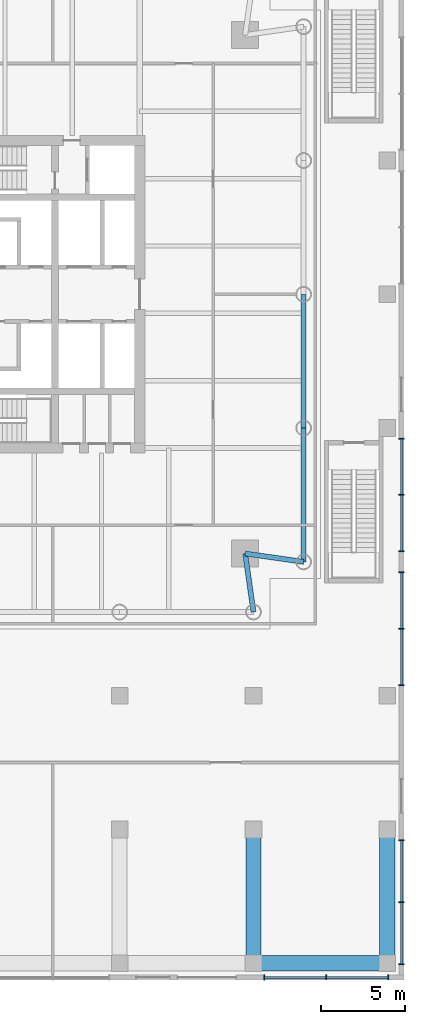
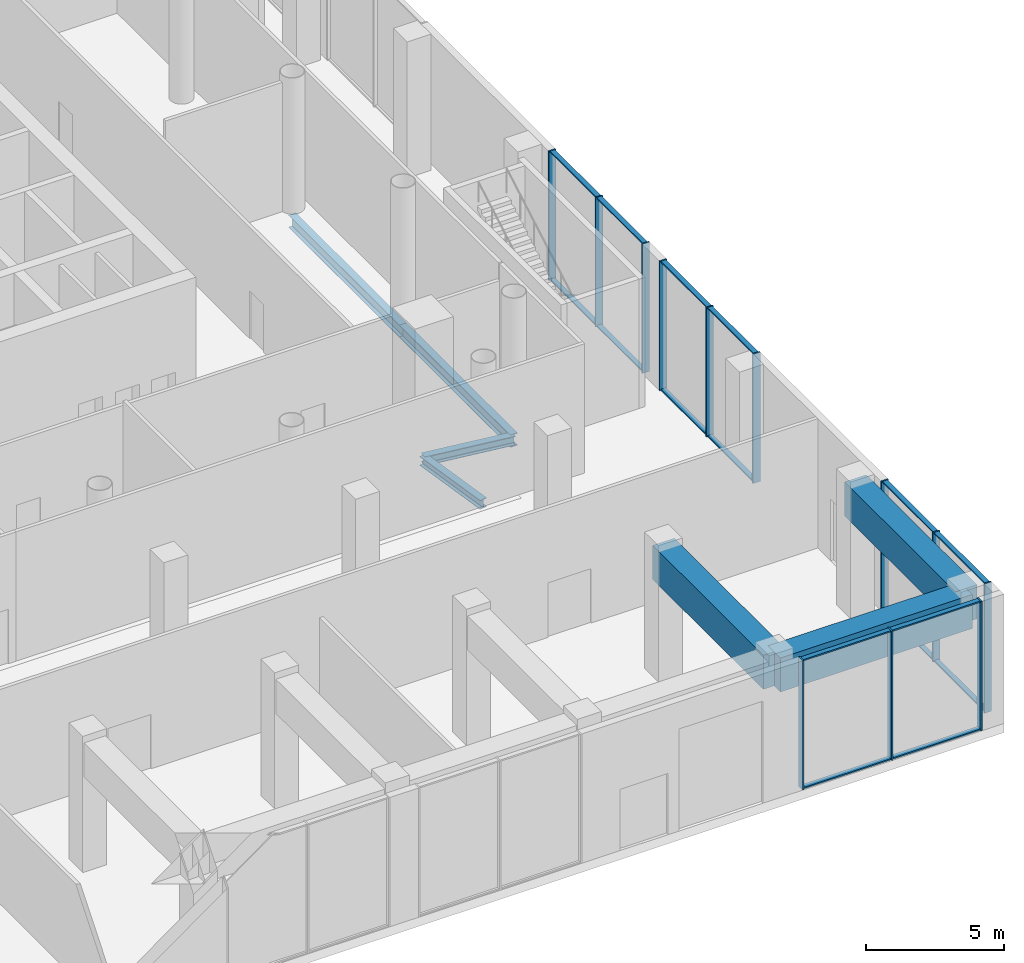
# One storey, part 18 of 39: 28 members, 7 beams, 4 elements without a shape of their own.
"""IFC4 building model written with IfcOpenShell, lengths in metres."""

from ifc_helpers import new_model, si_unit, direction, frame, origin, origin_2d, place, context, subcontext, project, spatial, rectangle, i_section, extrude, material, material_profile, profile_set, type_object, element, aggregate, save


model = new_model("IFC4")

# Units and contexts
model_context = context("Model", 3, precision=1e-05, world=origin(), true_north=direction((0.0, 1.0)))
body_context = subcontext(model_context, "Body", "Model", "MODEL_VIEW")
ifc_project = project(units=[si_unit("LENGTHUNIT", "METRE"), si_unit("AREAUNIT", "SQUARE_METRE"), si_unit("VOLUMEUNIT", "CUBIC_METRE"), si_unit("PLANEANGLEUNIT", "RADIAN"), si_unit("MASSUNIT", "GRAM", prefix="KILO")], contexts=[model_context])

# Site, building, storey
site_placement = place(None, origin())
site = spatial("IfcSite", under=ifc_project, at=site_placement, CompositionType="ELEMENT")
building_placement = place(site_placement, origin())
building = spatial("IfcBuilding", under=site, at=building_placement, Name="Ostroluk Exchange", CompositionType="ELEMENT")
storey_placement = place(building_placement, origin())
storey = spatial("IfcBuildingStorey", under=building, at=storey_placement, Name="L00", CompositionType="ELEMENT", Elevation=0.0)

# Beams
ifc_material_1 = material(Name="Steel S355", Category="steel")
ifc_material_profile_1 = material_profile(ifc_material_1, i_section(OverallWidth=0.300048828125, OverallDepth=0.39990234375, WebThickness=0.013427734375, FlangeThickness=0.02392578125, FilletRadius=0.027099609375, at=origin_2d()), Name="HEB 400")
ifc_profile_set_1 = profile_set([ifc_material_profile_1], Name="Steel S355")
beam_type_1 = type_object("IfcBeamType", Name="Corner edge beam HEB 400", PredefinedType="SPANDREL", material=ifc_profile_set_1)
for number, where, z_axis, x_axis, name in (
    (1, (132.5, 30.5, -0.5), (0.141421356237, -0.989949493661, 0.0), (0.989949493661, 0.141421356237, 0.0), "T2 south corner edge beam a"),
    (2, (132.5, 30.5, -0.5), (0.989949493661, -0.141421356237, 0.0), (0.141421356237, 0.989949493661, 0.0), "T2 south corner edge beam b"),
):
    element("IfcBeam", number, at=place(storey_placement, frame(where, z_axis=z_axis, x_axis=x_axis)), inside=storey, type_object=beam_type_1, Name=name, PredefinedType="SPANDREL", context=body_context, shape_type="SweptSolid", body=[
        extrude(i_section(OverallWidth=0.300048828125, OverallDepth=0.39990234375, WebThickness=0.013427734375, FlangeThickness=0.02392578125, FilletRadius=0.027099609375, at=origin_2d()), origin(), (0.0, 0.0, 1.0), 3.53564453125),
    ])
ifc_material_2 = material(Name="Steel S355", Category="steel")
ifc_material_profile_2 = material_profile(ifc_material_2, i_section(OverallWidth=0.300048828125, OverallDepth=0.550048828125, WebThickness=0.014892578125, FlangeThickness=0.029052734375, FilletRadius=0.027099609375, at=origin_2d()), Name="HEB 550")
ifc_profile_set_2 = profile_set([ifc_material_profile_2], Name="Steel S355")
beam_type_2 = type_object("IfcBeamType", Name="Moment-connected edge beam HEB 550", PredefinedType="SPANDREL", material=ifc_profile_set_2)
for number, where, z_axis, x_axis, name in (
    (3, (136.0, 30.0, -0.574951171875), (0.0, 1.0, 0.0), (-1.0, 0.0, 0.0), "T2 east edge beam 1"),
    (4, (136.0, 38.0, -0.574951171875), (0.0, 1.0, 0.0), (-1.0, 0.0, 0.0), "T2 east edge beam 2"),
):
    element("IfcBeam", number, at=place(storey_placement, frame(where, z_axis=z_axis, x_axis=x_axis)), inside=storey, type_object=beam_type_2, Name=name, PredefinedType="SPANDREL", context=body_context, shape_type="SweptSolid", body=[
        extrude(i_section(OverallWidth=0.300048828125, OverallDepth=0.550048828125, WebThickness=0.014892578125, FlangeThickness=0.029052734375, FilletRadius=0.027099609375, at=origin_2d()), origin(), (0.0, 0.0, 1.0), 8.0),
    ])
ifc_material_3 = material(Name="Concrete C50/60", Category="concrete")
ifc_material_profile_3 = material_profile(ifc_material_3, rectangle(XDim=0.89990234375, YDim=1.5, at=origin_2d()), Name="RC 900x1500")
ifc_profile_set_3 = profile_set([ifc_material_profile_3], Name="Concrete C50/60")
beam_type_3 = type_object("IfcBeamType", Name="Podium edge beam RC 900x1500", PredefinedType="BEAM", material=ifc_profile_set_3)
for number, where, z_axis, x_axis, name in (
    (5, (133.0, 6.0, 4.949951171875), (0.0, 1.0, 0.0), (-1.0, 0.0, 0.0), "Terrace beam L01 east S 133"),
    (6, (141.0, 6.0, 4.949951171875), (0.0, 1.0, 0.0), (-1.0, 0.0, 0.0), "Terrace beam L01 east S 141"),
    (7, (133.0, 6.0, 4.949951171875), (1.0, 0.0, 0.0), (0.0, 1.0, 0.0), "Terrace bay beam L01 Y6-133"),
):
    element("IfcBeam", number, at=place(storey_placement, frame(where, z_axis=z_axis, x_axis=x_axis)), inside=storey, type_object=beam_type_3, Name=name, PredefinedType="BEAM", context=body_context, shape_type="SweptSolid", body=[
        extrude(rectangle(XDim=0.89990234375, YDim=1.5, at=origin_2d()), origin(), (0.0, 0.0, 1.0), 8.0),
    ])

# Curtain wall, members
ifc_material_4 = material(Name="Laminated clear glass", Category="glass")
curtain_wall_type = type_object("IfcCurtainWallType", Name="Podium shopfront", PredefinedType="USERDEFINED", material=ifc_material_4)
curtain_wall_1_placement = place(storey_placement, origin())
curtain_wall_1 = element("IfcCurtainWall", 8, at=curtain_wall_1_placement, inside=storey, type_object=curtain_wall_type, Name="Podium east S shopfront 4", ObjectType="STICK SHOPFRONT", PredefinedType="USERDEFINED")
ifc_material_5 = material(Name="Aluminium mullion", Category="aluminium")
ifc_material_profile_4 = material_profile(ifc_material_5, rectangle(XDim=0.300048828125, YDim=0.06005859375, at=origin_2d()), Name="Shopfront mullion 60 x 300")
ifc_profile_set_4 = profile_set([ifc_material_profile_4], Name="Aluminium mullion")
member_type_1 = type_object("IfcMemberType", Name="Shopfront mullion 60 x 300", PredefinedType="MULLION", material=ifc_profile_set_4)
member_1_placement = place(storey_placement, frame((133.6298828125, 5.14990234375, 0.0), z_axis=(0.0, 0.0, 1.0), x_axis=(0.0, 1.0, 0.0)))
member_1 = element("IfcMember", 9, at=member_1_placement, type_object=member_type_1, Name="CW-SF1 mullion 1", PredefinedType="MULLION", context=body_context, shape_type="SweptSolid", body=[
    extrude(rectangle(XDim=0.300048828125, YDim=0.06005859375, at=origin_2d()), origin(), (0.0, 0.0, 1.0), 5.699951171875),
])
member_2_placement = place(storey_placement, frame((137.35009765625, 5.14990234375, 0.0), z_axis=(0.0, 0.0, 1.0), x_axis=(0.0, 1.0, 0.0)))
member_2 = element("IfcMember", 10, at=member_2_placement, type_object=member_type_1, Name="CW-SF1 mullion 2", PredefinedType="MULLION", context=body_context, shape_type="SweptSolid", body=[
    extrude(rectangle(XDim=0.300048828125, YDim=0.06005859375, at=origin_2d()), origin(), (0.0, 0.0, 1.0), 5.699951171875),
])
member_3_placement = place(storey_placement, frame((141.070068359375, 5.14990234375, 0.0), z_axis=(0.0, 0.0, 1.0), x_axis=(0.0, 1.0, 0.0)))
member_3 = element("IfcMember", 11, at=member_3_placement, type_object=member_type_1, Name="CW-SF1 mullion 3", PredefinedType="MULLION", context=body_context, shape_type="SweptSolid", body=[
    extrude(rectangle(XDim=0.300048828125, YDim=0.06005859375, at=origin_2d()), origin(), (0.0, 0.0, 1.0), 5.699951171875),
])

curtain_wall_2_placement = place(storey_placement, origin())
curtain_wall_2 = element("IfcCurtainWall", 12, at=curtain_wall_2_placement, inside=storey, type_object=curtain_wall_type, Name="Podium east E shopfront 1", ObjectType="STICK SHOPFRONT", PredefinedType="USERDEFINED")
member_4_placement = place(storey_placement, frame((141.85009765625, 5.929931640625, 0.0), z_axis=(0.0, 0.0, 1.0), x_axis=(-1.0, 0.0, 0.0)))
member_4 = element("IfcMember", 13, at=member_4_placement, type_object=member_type_1, Name="CW-SF1 mullion 1", PredefinedType="MULLION", context=body_context, shape_type="SweptSolid", body=[
    extrude(rectangle(XDim=0.300048828125, YDim=0.06005859375, at=origin_2d()), origin(), (0.0, 0.0, 1.0), 5.699951171875),
])
member_5_placement = place(storey_placement, frame((141.85009765625, 9.64990234375, 0.0), z_axis=(0.0, 0.0, 1.0), x_axis=(-1.0, 0.0, 0.0)))
member_5 = element("IfcMember", 14, at=member_5_placement, type_object=member_type_1, Name="CW-SF1 mullion 2", PredefinedType="MULLION", context=body_context, shape_type="SweptSolid", body=[
    extrude(rectangle(XDim=0.300048828125, YDim=0.06005859375, at=origin_2d()), origin(), (0.0, 0.0, 1.0), 5.699951171875),
])
member_6_placement = place(storey_placement, frame((141.85009765625, 13.3701171875, 0.0), z_axis=(0.0, 0.0, 1.0), x_axis=(-1.0, 0.0, 0.0)))
member_6 = element("IfcMember", 15, at=member_6_placement, type_object=member_type_1, Name="CW-SF1 mullion 3", PredefinedType="MULLION", context=body_context, shape_type="SweptSolid", body=[
    extrude(rectangle(XDim=0.300048828125, YDim=0.06005859375, at=origin_2d()), origin(), (0.0, 0.0, 1.0), 5.699951171875),
])

curtain_wall_3_placement = place(storey_placement, origin())
curtain_wall_3 = element("IfcCurtainWall", 16, at=curtain_wall_3_placement, inside=storey, type_object=curtain_wall_type, Name="Podium east E shopfront 2", ObjectType="STICK SHOPFRONT", PredefinedType="USERDEFINED")
member_7_placement = place(storey_placement, frame((141.85009765625, 22.6298828125, 0.0), z_axis=(0.0, 0.0, 1.0), x_axis=(-1.0, 0.0, 0.0)))
member_7 = element("IfcMember", 17, at=member_7_placement, type_object=member_type_1, Name="CW-SF1 mullion 1", PredefinedType="MULLION", context=body_context, shape_type="SweptSolid", body=[
    extrude(rectangle(XDim=0.300048828125, YDim=0.06005859375, at=origin_2d()), origin(), (0.0, 0.0, 1.0), 5.699951171875),
])
member_8_placement = place(storey_placement, frame((141.85009765625, 26.0, 0.0), z_axis=(0.0, 0.0, 1.0), x_axis=(-1.0, 0.0, 0.0)))
member_8 = element("IfcMember", 18, at=member_8_placement, type_object=member_type_1, Name="CW-SF1 mullion 2", PredefinedType="MULLION", context=body_context, shape_type="SweptSolid", body=[
    extrude(rectangle(XDim=0.300048828125, YDim=0.06005859375, at=origin_2d()), origin(), (0.0, 0.0, 1.0), 5.699951171875),
])
member_9_placement = place(storey_placement, frame((141.85009765625, 29.3701171875, 0.0), z_axis=(0.0, 0.0, 1.0), x_axis=(-1.0, 0.0, 0.0)))
member_9 = element("IfcMember", 19, at=member_9_placement, type_object=member_type_1, Name="CW-SF1 mullion 3", PredefinedType="MULLION", context=body_context, shape_type="SweptSolid", body=[
    extrude(rectangle(XDim=0.300048828125, YDim=0.06005859375, at=origin_2d()), origin(), (0.0, 0.0, 1.0), 5.699951171875),
])

curtain_wall_4_placement = place(storey_placement, origin())
curtain_wall_4 = element("IfcCurtainWall", 20, at=curtain_wall_4_placement, inside=storey, type_object=curtain_wall_type, Name="Podium east E shopfront 3", ObjectType="STICK SHOPFRONT", PredefinedType="USERDEFINED")
member_10_placement = place(storey_placement, frame((141.85009765625, 30.6298828125, 0.0), z_axis=(0.0, 0.0, 1.0), x_axis=(-1.0, 0.0, 0.0)))
member_10 = element("IfcMember", 21, at=member_10_placement, type_object=member_type_1, Name="CW-SF1 mullion 1", PredefinedType="MULLION", context=body_context, shape_type="SweptSolid", body=[
    extrude(rectangle(XDim=0.300048828125, YDim=0.06005859375, at=origin_2d()), origin(), (0.0, 0.0, 1.0), 5.699951171875),
])
member_11_placement = place(storey_placement, frame((141.85009765625, 34.0, 0.0), z_axis=(0.0, 0.0, 1.0), x_axis=(-1.0, 0.0, 0.0)))
member_11 = element("IfcMember", 22, at=member_11_placement, type_object=member_type_1, Name="CW-SF1 mullion 2", PredefinedType="MULLION", context=body_context, shape_type="SweptSolid", body=[
    extrude(rectangle(XDim=0.300048828125, YDim=0.06005859375, at=origin_2d()), origin(), (0.0, 0.0, 1.0), 5.699951171875),
])
member_12_placement = place(storey_placement, frame((141.85009765625, 37.3701171875, 0.0), z_axis=(0.0, 0.0, 1.0), x_axis=(-1.0, 0.0, 0.0)))
member_12 = element("IfcMember", 23, at=member_12_placement, type_object=member_type_1, Name="CW-SF1 mullion 3", PredefinedType="MULLION", context=body_context, shape_type="SweptSolid", body=[
    extrude(rectangle(XDim=0.300048828125, YDim=0.06005859375, at=origin_2d()), origin(), (0.0, 0.0, 1.0), 5.699951171875),
])

# Member
ifc_material_6 = material(Name="Aluminium mullion", Category="aluminium")
ifc_material_profile_5 = material_profile(ifc_material_6, rectangle(XDim=0.199951171875, YDim=0.06005859375, at=origin_2d()), Name="Shopfront transom 60 x 200")
ifc_profile_set_5 = profile_set([ifc_material_profile_5], Name="Aluminium mullion")
member_type_2 = type_object("IfcMemberType", Name="Shopfront transom 60 x 200", PredefinedType="USERDEFINED", material=ifc_profile_set_5)
member_13_placement = place(storey_placement, frame((133.659912109375, 5.14990234375, 0.030029296875), z_axis=(1.0, 0.0, 0.0), x_axis=(0.0, 1.0, 0.0)))
member_13 = element("IfcMember", 24, at=member_13_placement, type_object=member_type_2, Name="CW-SF1 transom 1.1", ObjectType="TRANSOM", PredefinedType="USERDEFINED", context=body_context, shape_type="SweptSolid", body=[
    extrude(rectangle(XDim=0.199951171875, YDim=0.06005859375, at=origin_2d()), origin(), (0.0, 0.0, 1.0), 3.66015625),
])

member_14_placement = place(storey_placement, frame((133.659912109375, 5.14990234375, 5.669921875), z_axis=(1.0, 0.0, 0.0), x_axis=(0.0, 1.0, 0.0)))
member_14 = element("IfcMember", 25, at=member_14_placement, type_object=member_type_2, Name="CW-SF1 transom 1.2", ObjectType="TRANSOM", PredefinedType="USERDEFINED", context=body_context, shape_type="SweptSolid", body=[
    extrude(rectangle(XDim=0.199951171875, YDim=0.06005859375, at=origin_2d()), origin(), (0.0, 0.0, 1.0), 3.66015625),
])

member_15_placement = place(storey_placement, frame((137.3798828125, 5.14990234375, 0.030029296875), z_axis=(1.0, 0.0, 0.0), x_axis=(0.0, 1.0, 0.0)))
member_15 = element("IfcMember", 26, at=member_15_placement, type_object=member_type_2, Name="CW-SF1 transom 2.1", ObjectType="TRANSOM", PredefinedType="USERDEFINED", context=body_context, shape_type="SweptSolid", body=[
    extrude(rectangle(XDim=0.199951171875, YDim=0.06005859375, at=origin_2d()), origin(), (0.0, 0.0, 1.0), 3.66015625),
])

member_16_placement = place(storey_placement, frame((137.3798828125, 5.14990234375, 5.669921875), z_axis=(1.0, 0.0, 0.0), x_axis=(0.0, 1.0, 0.0)))
member_16 = element("IfcMember", 27, at=member_16_placement, type_object=member_type_2, Name="CW-SF1 transom 2.2", ObjectType="TRANSOM", PredefinedType="USERDEFINED", context=body_context, shape_type="SweptSolid", body=[
    extrude(rectangle(XDim=0.199951171875, YDim=0.06005859375, at=origin_2d()), origin(), (0.0, 0.0, 1.0), 3.66015625),
])

aggregate(curtain_wall_1, [member_1, member_2, member_3, member_13, member_14, member_15, member_16])

member_17_placement = place(storey_placement, frame((141.85009765625, 5.9599609375, 0.030029296875), z_axis=(0.0, 1.0, 0.0), x_axis=(-1.0, 0.0, 0.0)))
member_17 = element("IfcMember", 28, at=member_17_placement, type_object=member_type_2, Name="CW-SF1 transom 1.1", ObjectType="TRANSOM", PredefinedType="USERDEFINED", context=body_context, shape_type="SweptSolid", body=[
    extrude(rectangle(XDim=0.199951171875, YDim=0.06005859375, at=origin_2d()), origin(), (0.0, 0.0, 1.0), 3.66015625),
])

member_18_placement = place(storey_placement, frame((141.85009765625, 5.9599609375, 5.669921875), z_axis=(0.0, 1.0, 0.0), x_axis=(-1.0, 0.0, 0.0)))
member_18 = element("IfcMember", 29, at=member_18_placement, type_object=member_type_2, Name="CW-SF1 transom 1.2", ObjectType="TRANSOM", PredefinedType="USERDEFINED", context=body_context, shape_type="SweptSolid", body=[
    extrude(rectangle(XDim=0.199951171875, YDim=0.06005859375, at=origin_2d()), origin(), (0.0, 0.0, 1.0), 3.66015625),
])

member_19_placement = place(storey_placement, frame((141.85009765625, 9.679931640625, 0.030029296875), z_axis=(0.0, 1.0, 0.0), x_axis=(-1.0, 0.0, 0.0)))
member_19 = element("IfcMember", 30, at=member_19_placement, type_object=member_type_2, Name="CW-SF1 transom 2.1", ObjectType="TRANSOM", PredefinedType="USERDEFINED", context=body_context, shape_type="SweptSolid", body=[
    extrude(rectangle(XDim=0.199951171875, YDim=0.06005859375, at=origin_2d()), origin(), (0.0, 0.0, 1.0), 3.66015625),
])

member_20_placement = place(storey_placement, frame((141.85009765625, 9.679931640625, 5.669921875), z_axis=(0.0, 1.0, 0.0), x_axis=(-1.0, 0.0, 0.0)))
member_20 = element("IfcMember", 31, at=member_20_placement, type_object=member_type_2, Name="CW-SF1 transom 2.2", ObjectType="TRANSOM", PredefinedType="USERDEFINED", context=body_context, shape_type="SweptSolid", body=[
    extrude(rectangle(XDim=0.199951171875, YDim=0.06005859375, at=origin_2d()), origin(), (0.0, 0.0, 1.0), 3.66015625),
])

aggregate(curtain_wall_2, [member_4, member_5, member_6, member_17, member_18, member_19, member_20])

member_21_placement = place(storey_placement, frame((141.85009765625, 22.659912109375, 0.030029296875), z_axis=(0.0, 1.0, 0.0), x_axis=(-1.0, 0.0, 0.0)))
member_21 = element("IfcMember", 32, at=member_21_placement, type_object=member_type_2, Name="CW-SF1 transom 1.1", ObjectType="TRANSOM", PredefinedType="USERDEFINED", context=body_context, shape_type="SweptSolid", body=[
    extrude(rectangle(XDim=0.199951171875, YDim=0.06005859375, at=origin_2d()), origin(), (0.0, 0.0, 1.0), 3.31005859375),
])

member_22_placement = place(storey_placement, frame((141.85009765625, 22.659912109375, 5.669921875), z_axis=(0.0, 1.0, 0.0), x_axis=(-1.0, 0.0, 0.0)))
member_22 = element("IfcMember", 33, at=member_22_placement, type_object=member_type_2, Name="CW-SF1 transom 1.2", ObjectType="TRANSOM", PredefinedType="USERDEFINED", context=body_context, shape_type="SweptSolid", body=[
    extrude(rectangle(XDim=0.199951171875, YDim=0.06005859375, at=origin_2d()), origin(), (0.0, 0.0, 1.0), 3.31005859375),
])

member_23_placement = place(storey_placement, frame((141.85009765625, 26.030029296875, 0.030029296875), z_axis=(0.0, 1.0, 0.0), x_axis=(-1.0, 0.0, 0.0)))
member_23 = element("IfcMember", 34, at=member_23_placement, type_object=member_type_2, Name="CW-SF1 transom 2.1", ObjectType="TRANSOM", PredefinedType="USERDEFINED", context=body_context, shape_type="SweptSolid", body=[
    extrude(rectangle(XDim=0.199951171875, YDim=0.06005859375, at=origin_2d()), origin(), (0.0, 0.0, 1.0), 3.31005859375),
])

member_24_placement = place(storey_placement, frame((141.85009765625, 26.030029296875, 5.669921875), z_axis=(0.0, 1.0, 0.0), x_axis=(-1.0, 0.0, 0.0)))
member_24 = element("IfcMember", 35, at=member_24_placement, type_object=member_type_2, Name="CW-SF1 transom 2.2", ObjectType="TRANSOM", PredefinedType="USERDEFINED", context=body_context, shape_type="SweptSolid", body=[
    extrude(rectangle(XDim=0.199951171875, YDim=0.06005859375, at=origin_2d()), origin(), (0.0, 0.0, 1.0), 3.31005859375),
])

aggregate(curtain_wall_3, [member_7, member_8, member_9, member_21, member_22, member_23, member_24])

member_25_placement = place(storey_placement, frame((141.85009765625, 30.659912109375, 0.030029296875), z_axis=(0.0, 1.0, 0.0), x_axis=(-1.0, 0.0, 0.0)))
member_25 = element("IfcMember", 36, at=member_25_placement, type_object=member_type_2, Name="CW-SF1 transom 1.1", ObjectType="TRANSOM", PredefinedType="USERDEFINED", context=body_context, shape_type="SweptSolid", body=[
    extrude(rectangle(XDim=0.199951171875, YDim=0.06005859375, at=origin_2d()), origin(), (0.0, 0.0, 1.0), 3.31005859375),
])

member_26_placement = place(storey_placement, frame((141.85009765625, 30.659912109375, 5.669921875), z_axis=(0.0, 1.0, 0.0), x_axis=(-1.0, 0.0, 0.0)))
member_26 = element("IfcMember", 37, at=member_26_placement, type_object=member_type_2, Name="CW-SF1 transom 1.2", ObjectType="TRANSOM", PredefinedType="USERDEFINED", context=body_context, shape_type="SweptSolid", body=[
    extrude(rectangle(XDim=0.199951171875, YDim=0.06005859375, at=origin_2d()), origin(), (0.0, 0.0, 1.0), 3.31005859375),
])

member_27_placement = place(storey_placement, frame((141.85009765625, 34.030029296875, 0.030029296875), z_axis=(0.0, 1.0, 0.0), x_axis=(-1.0, 0.0, 0.0)))
member_27 = element("IfcMember", 38, at=member_27_placement, type_object=member_type_2, Name="CW-SF1 transom 2.1", ObjectType="TRANSOM", PredefinedType="USERDEFINED", context=body_context, shape_type="SweptSolid", body=[
    extrude(rectangle(XDim=0.199951171875, YDim=0.06005859375, at=origin_2d()), origin(), (0.0, 0.0, 1.0), 3.31005859375),
])

member_28_placement = place(storey_placement, frame((141.85009765625, 34.030029296875, 5.669921875), z_axis=(0.0, 1.0, 0.0), x_axis=(-1.0, 0.0, 0.0)))
member_28 = element("IfcMember", 39, at=member_28_placement, type_object=member_type_2, Name="CW-SF1 transom 2.2", ObjectType="TRANSOM", PredefinedType="USERDEFINED", context=body_context, shape_type="SweptSolid", body=[
    extrude(rectangle(XDim=0.199951171875, YDim=0.06005859375, at=origin_2d()), origin(), (0.0, 0.0, 1.0), 3.31005859375),
])

aggregate(curtain_wall_4, [member_10, member_11, member_12, member_25, member_26, member_27, member_28])

save(model, "model.ifc")
